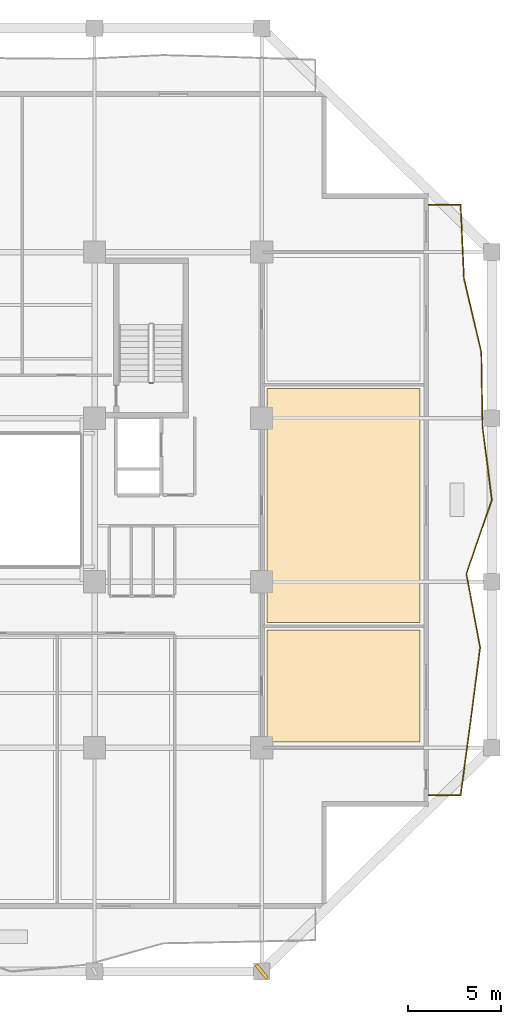
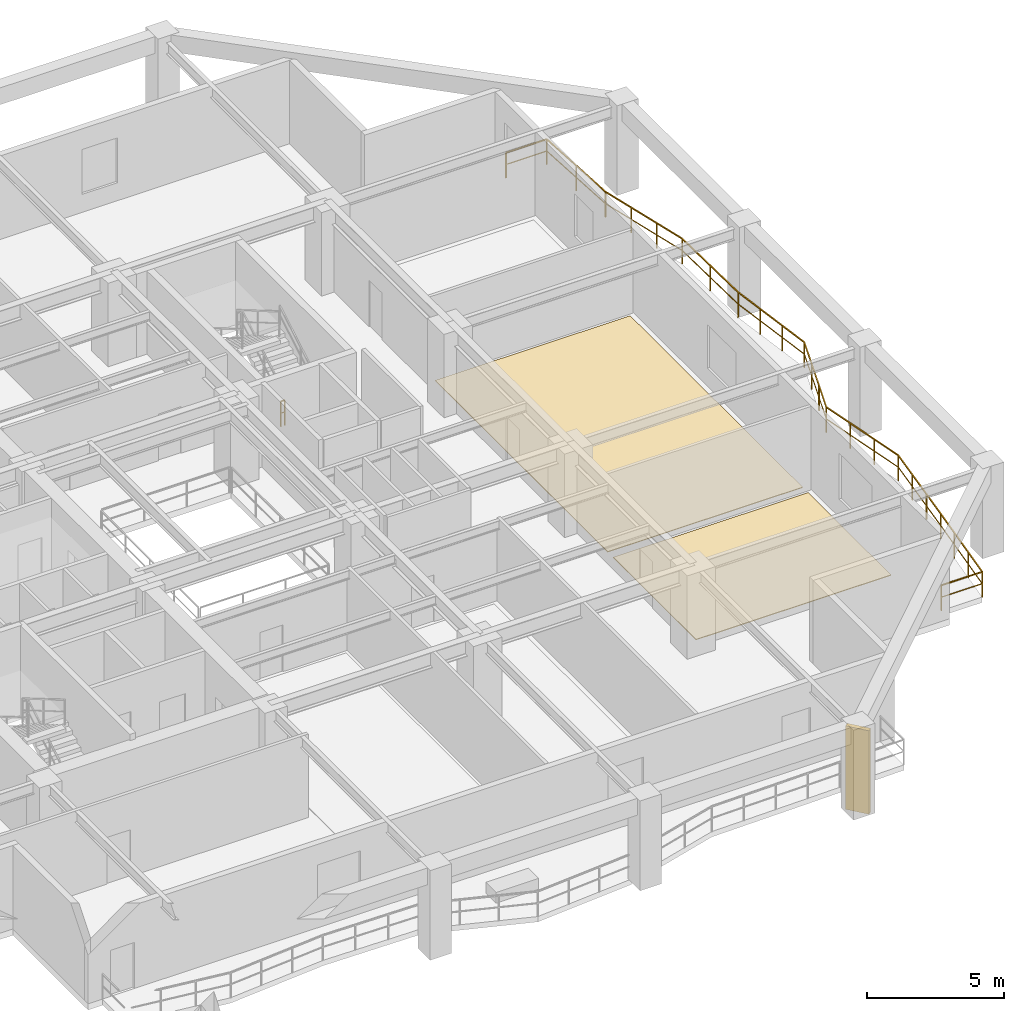
# One storey, part 9 of 12: 2 coverings, 2 railings, 1 shading device.
"""IFC4 building model written with IfcOpenShell, lengths in metres."""

from ifc_helpers import new_model, si_unit, direction, frame, origin, origin_2d, place, context, subcontext, project, spatial, polyline, rectangle, outline, extrude, material, layer, layer_set, type_object, element, save


model = new_model("IFC4")

# Units and contexts
model_context = context("Model", 3, precision=1e-05, world=origin(), true_north=direction((0.0, 1.0)))
body_context = subcontext(model_context, "Body", "Model", "MODEL_VIEW")
ifc_project = project(units=[si_unit("LENGTHUNIT", "METRE"), si_unit("AREAUNIT", "SQUARE_METRE"), si_unit("VOLUMEUNIT", "CUBIC_METRE"), si_unit("PLANEANGLEUNIT", "RADIAN"), si_unit("MASSUNIT", "GRAM", prefix="KILO")], contexts=[model_context])

# Site, building, storey
site_placement = place(None, origin())
site = spatial("IfcSite", under=ifc_project, at=site_placement, CompositionType="ELEMENT")
building_placement = place(site_placement, origin())
building = spatial("IfcBuilding", under=site, at=building_placement, Name="Kundavana Baori Tower", CompositionType="ELEMENT")
storey_placement = place(building_placement, frame((0.0, 0.0, 42.0)))
storey = spatial("IfcBuildingStorey", under=building, at=storey_placement, Name="L09", CompositionType="ELEMENT", Elevation=42.0)

# Coverings
ifc_material_1 = material(Name="Honed Kota Stone and Terrazzo Flooring", Category="masonry")
ifc_layer = layer(ifc_material_1, 0.030029296875, Name="COV-INT-FLR")
ifc_layer_set = layer_set([ifc_layer], Name="Honed Kota Stone and Terrazzo Flooring")
covering_type = type_object("IfcCoveringType", Name="COV-INT-FLR", PredefinedType="FLOORING", material=ifc_layer_set)
covering_1_placement = place(storey_placement, origin())
element("IfcCovering", 1, at=covering_1_placement, inside=storey, type_object=covering_type, Name="L09 Room Finished Stone Flooring 5", PredefinedType="FLOORING", context=body_context, shape_type="SweptSolid", body=[
    extrude(outline(polyline([(43.10009765625, 15.550048828125), (51.320068359375, 15.550048828125), (51.320068359375, 21.60009765625), (43.10009765625, 21.60009765625), (43.10009765625, 15.550048828125)])), origin(), (0.0, 0.0, 1.0), 0.030029296875),
])
covering_2_placement = place(storey_placement, origin())
element("IfcCovering", 2, at=covering_2_placement, inside=storey, type_object=covering_type, Name="L09 Room Finished Stone Flooring 6", PredefinedType="FLOORING", context=body_context, shape_type="SweptSolid", body=[
    extrude(outline(polyline([(43.10009765625, 22.0), (51.320068359375, 22.0), (51.320068359375, 34.60009765625), (43.10009765625, 34.60009765625), (43.10009765625, 22.0)])), origin(), (0.0, 0.0, 1.0), 0.030029296875),
])

# Railings
ifc_material_2 = material(Name="Architectural Patinated Bronze Metalwork")
railing_type_1 = type_object("IfcRailingType", Name="RL-BAL-1150", PredefinedType="BALUSTRADE", material=ifc_material_2)
railing_1_placement = place(storey_placement, frame((51.800048828125, 44.5, 0.0)))
element("IfcRailing", 3, at=railing_1_placement, inside=storey, type_object=railing_type_1, Name="L09 Loggia Balcony Balustrade E", PredefinedType="BALUSTRADE", context=body_context, shape_type="SweptSolid", body=[
    extrude(rectangle(XDim=0.048095703125, YDim=0.048095703125, at=origin_2d()), frame((0.0, 0.0, 1.1259765625), z_axis=(1.0, 0.0, 0.0), x_axis=(0.0, 1.0, 0.0)), (0.0, 0.0, 1.0), 1.719970703125),
    extrude(rectangle(XDim=0.03125, YDim=0.03125, at=origin_2d()), frame((0.0, 0.0, 0.597900390625), z_axis=(1.0, 0.0, 0.0), x_axis=(0.0, 1.0, 0.0)), (0.0, 0.0, 1.0), 1.719970703125),
    extrude(rectangle(XDim=0.048095703125, YDim=0.048095703125, at=origin_2d()), frame((1.719970703125, 0.0, 1.1259765625), z_axis=(0.045708226904, -0.998954832809, 0.0), x_axis=(0.998954832809, 0.045708226904, 0.0)), (0.0, 0.0, 1.0), 3.979248046875),
    extrude(rectangle(XDim=0.03125, YDim=0.03125, at=origin_2d()), frame((1.719970703125, 0.0, 0.597900390625), z_axis=(0.045708226904, -0.998954832809, 0.0), x_axis=(0.998954832809, 0.045708226904, 0.0)), (0.0, 0.0, 1.0), 3.979248046875),
    extrude(rectangle(XDim=0.048095703125, YDim=0.048095703125, at=origin_2d()), frame((1.90185546875, -3.97509765625, 1.1259765625), z_axis=(0.228766043642, -0.973481431398, 0.0), x_axis=(0.973481431398, 0.228766043642, 0.0)), (0.0, 0.0, 1.0), 4.083251953125),
    extrude(rectangle(XDim=0.03125, YDim=0.03125, at=origin_2d()), frame((1.90185546875, -3.97509765625, 0.597900390625), z_axis=(0.228766043642, -0.973481431398, 0.0), x_axis=(0.973481431398, 0.228766043642, 0.0)), (0.0, 0.0, 1.0), 4.083251953125),
    extrude(rectangle(XDim=0.048095703125, YDim=0.048095703125, at=origin_2d()), frame((2.8359375, -7.949951171875, 1.1259765625), z_axis=(0.015843730248, -0.999874480228, 0.0), x_axis=(0.999874480228, 0.015843730248, 0.0)), (0.0, 0.0, 1.0), 3.9755859375),
    extrude(rectangle(XDim=0.03125, YDim=0.03125, at=origin_2d()), frame((2.8359375, -7.949951171875, 0.597900390625), z_axis=(0.015843730248, -0.999874480228, 0.0), x_axis=(0.999874480228, 0.015843730248, 0.0)), (0.0, 0.0, 1.0), 3.9755859375),
    extrude(rectangle(XDim=0.048095703125, YDim=0.048095703125, at=origin_2d()), frame((2.89892578125, -11.925048828125, 1.1259765625), z_axis=(0.125047197933, -0.992150794128, 0.0), x_axis=(0.992150794128, 0.125047197933, 0.0)), (0.0, 0.0, 1.0), 4.00634765625),
    extrude(rectangle(XDim=0.03125, YDim=0.03125, at=origin_2d()), frame((2.89892578125, -11.925048828125, 0.597900390625), z_axis=(0.125047197933, -0.992150794128, 0.0), x_axis=(0.992150794128, 0.125047197933, 0.0)), (0.0, 0.0, 1.0), 4.00634765625),
    extrude(rectangle(XDim=0.048095703125, YDim=0.048095703125, at=origin_2d()), frame((3.39990234375, -15.89990234375, 1.1259765625), z_axis=(-0.325394623891, -0.945578309154, 0.0), x_axis=(0.945578309154, -0.325394623891, 0.0)), (0.0, 0.0, 1.0), 4.203857421875),
    extrude(rectangle(XDim=0.03125, YDim=0.03125, at=origin_2d()), frame((3.39990234375, -15.89990234375, 0.597900390625), z_axis=(-0.325394623891, -0.945578309154, 0.0), x_axis=(0.945578309154, -0.325394623891, 0.0)), (0.0, 0.0, 1.0), 4.203857421875),
    extrude(rectangle(XDim=0.048095703125, YDim=0.048095703125, at=origin_2d()), frame((2.031982421875, -19.875, 1.1259765625), z_axis=(0.183012420576, -0.983110601059, 0.0), x_axis=(0.983110601059, 0.183012420576, 0.0)), (0.0, 0.0, 1.0), 4.04345703125),
    extrude(rectangle(XDim=0.03125, YDim=0.03125, at=origin_2d()), frame((2.031982421875, -19.875, 0.597900390625), z_axis=(0.183012420576, -0.983110601059, 0.0), x_axis=(0.983110601059, 0.183012420576, 0.0)), (0.0, 0.0, 1.0), 4.04345703125),
    extrude(rectangle(XDim=0.048095703125, YDim=0.048095703125, at=origin_2d()), frame((2.77197265625, -23.85009765625, 1.1259765625), z_axis=(-0.12822452981, -0.991745163817, 0.0), x_axis=(0.991745163817, -0.12822452981, 0.0)), (0.0, 0.0, 1.0), 4.008056640625),
    extrude(rectangle(XDim=0.03125, YDim=0.03125, at=origin_2d()), frame((2.77197265625, -23.85009765625, 0.597900390625), z_axis=(-0.12822452981, -0.991745163817, 0.0), x_axis=(0.991745163817, -0.12822452981, 0.0)), (0.0, 0.0, 1.0), 4.008056640625),
    extrude(rectangle(XDim=0.048095703125, YDim=0.048095703125, at=origin_2d()), frame((2.258056640625, -27.824951171875, 1.1259765625), z_axis=(-0.134140822045, -0.990962279737, 0.0), x_axis=(0.990962279737, -0.134140822045, 0.0)), (0.0, 0.0, 1.0), 4.01123046875),
    extrude(rectangle(XDim=0.03125, YDim=0.03125, at=origin_2d()), frame((2.258056640625, -27.824951171875, 0.597900390625), z_axis=(-0.134140822045, -0.990962279737, 0.0), x_axis=(0.990962279737, -0.134140822045, 0.0)), (0.0, 0.0, 1.0), 4.01123046875),
    extrude(rectangle(XDim=0.048095703125, YDim=0.048095703125, at=origin_2d()), frame((1.719970703125, -31.800048828125, 1.1259765625), z_axis=(-1.0, 0.0, 0.0), x_axis=(0.0, -1.0, 0.0)), (0.0, 0.0, 1.0), 1.719970703125),
    extrude(rectangle(XDim=0.03125, YDim=0.03125, at=origin_2d()), frame((1.719970703125, -31.800048828125, 0.597900390625), z_axis=(-1.0, 0.0, 0.0), x_axis=(0.0, -1.0, 0.0)), (0.0, 0.0, 1.0), 1.719970703125),
    extrude(rectangle(XDim=0.0419921875, YDim=0.0419921875, at=origin_2d()), origin(), (0.0, 0.0, 1.0), 1.101806640625),
    extrude(rectangle(XDim=0.0419921875, YDim=0.0419921875, at=origin_2d()), frame((1.719970703125, 0.0, 0.0)), (0.0, 0.0, 1.0), 1.101806640625),
    extrude(rectangle(XDim=0.0419921875, YDim=0.0419921875, at=origin_2d()), frame((1.81103515625, -1.987548828125, 0.0)), (0.0, 0.0, 1.0), 1.101806640625),
    extrude(rectangle(XDim=0.0419921875, YDim=0.0419921875, at=origin_2d()), frame((1.90185546875, -3.97509765625, 0.0)), (0.0, 0.0, 1.0), 1.101806640625),
    extrude(rectangle(XDim=0.0419921875, YDim=0.0419921875, at=origin_2d()), frame((2.213134765625, -5.300048828125, 0.0)), (0.0, 0.0, 1.0), 1.101806640625),
    extrude(rectangle(XDim=0.0419921875, YDim=0.0419921875, at=origin_2d()), frame((2.524658203125, -6.625, 0.0)), (0.0, 0.0, 1.0), 1.101806640625),
    extrude(rectangle(XDim=0.0419921875, YDim=0.0419921875, at=origin_2d()), frame((2.8359375, -7.949951171875, 0.0)), (0.0, 0.0, 1.0), 1.101806640625),
    extrude(rectangle(XDim=0.0419921875, YDim=0.0419921875, at=origin_2d()), frame((2.867431640625, -9.9375, 0.0)), (0.0, 0.0, 1.0), 1.101806640625),
    extrude(rectangle(XDim=0.0419921875, YDim=0.0419921875, at=origin_2d()), frame((2.89892578125, -11.925048828125, 0.0)), (0.0, 0.0, 1.0), 1.101806640625),
    extrude(rectangle(XDim=0.0419921875, YDim=0.0419921875, at=origin_2d()), frame((3.06591796875, -13.25, 0.0)), (0.0, 0.0, 1.0), 1.101806640625),
    extrude(rectangle(XDim=0.0419921875, YDim=0.0419921875, at=origin_2d()), frame((3.23291015625, -14.574951171875, 0.0)), (0.0, 0.0, 1.0), 1.101806640625),
    extrude(rectangle(XDim=0.0419921875, YDim=0.0419921875, at=origin_2d()), frame((3.39990234375, -15.89990234375, 0.0)), (0.0, 0.0, 1.0), 1.101806640625),
    extrude(rectangle(XDim=0.0419921875, YDim=0.0419921875, at=origin_2d()), frame((2.94384765625, -17.224853515625, 0.0)), (0.0, 0.0, 1.0), 1.101806640625),
    extrude(rectangle(XDim=0.0419921875, YDim=0.0419921875, at=origin_2d()), frame((2.488037109375, -18.550048828125, 0.0)), (0.0, 0.0, 1.0), 1.101806640625),
    extrude(rectangle(XDim=0.0419921875, YDim=0.0419921875, at=origin_2d()), frame((2.031982421875, -19.875, 0.0)), (0.0, 0.0, 1.0), 1.101806640625),
    extrude(rectangle(XDim=0.0419921875, YDim=0.0419921875, at=origin_2d()), frame((2.278564453125, -21.199951171875, 0.0)), (0.0, 0.0, 1.0), 1.101806640625),
    extrude(rectangle(XDim=0.0419921875, YDim=0.0419921875, at=origin_2d()), frame((2.525390625, -22.525146484375, 0.0)), (0.0, 0.0, 1.0), 1.101806640625),
    extrude(rectangle(XDim=0.0419921875, YDim=0.0419921875, at=origin_2d()), frame((2.77197265625, -23.85009765625, 0.0)), (0.0, 0.0, 1.0), 1.101806640625),
    extrude(rectangle(XDim=0.0419921875, YDim=0.0419921875, at=origin_2d()), frame((2.6005859375, -25.175048828125, 0.0)), (0.0, 0.0, 1.0), 1.101806640625),
    extrude(rectangle(XDim=0.0419921875, YDim=0.0419921875, at=origin_2d()), frame((2.429443359375, -26.5, 0.0)), (0.0, 0.0, 1.0), 1.101806640625),
    extrude(rectangle(XDim=0.0419921875, YDim=0.0419921875, at=origin_2d()), frame((2.258056640625, -27.824951171875, 0.0)), (0.0, 0.0, 1.0), 1.101806640625),
    extrude(rectangle(XDim=0.0419921875, YDim=0.0419921875, at=origin_2d()), frame((2.07861328125, -29.14990234375, 0.0)), (0.0, 0.0, 1.0), 1.101806640625),
    extrude(rectangle(XDim=0.0419921875, YDim=0.0419921875, at=origin_2d()), frame((1.8994140625, -30.47509765625, 0.0)), (0.0, 0.0, 1.0), 1.101806640625),
    extrude(rectangle(XDim=0.0419921875, YDim=0.0419921875, at=origin_2d()), frame((1.719970703125, -31.800048828125, 0.0)), (0.0, 0.0, 1.0), 1.101806640625),
    extrude(rectangle(XDim=0.0419921875, YDim=0.0419921875, at=origin_2d()), frame((0.0, -31.800048828125, 0.0)), (0.0, 0.0, 1.0), 1.101806640625),
])
ifc_material_3 = material(Name="Architectural Patinated Bronze Metalwork")
railing_type_2 = type_object("IfcRailingType", Name="RL-GRD-1150", PredefinedType="GUARDRAIL", material=ifc_material_3)
railing_2_placement = place(storey_placement, frame((36.929931640625, 34.89990234375, 0.0)))
element("IfcRailing", 4, at=railing_2_placement, inside=storey, type_object=railing_type_2, Name="L09 ST3 stair guard 4", PredefinedType="GUARDRAIL", context=body_context, shape_type="SweptSolid", body=[
    extrude(rectangle(XDim=0.048095703125, YDim=0.048095703125, at=origin_2d()), frame((0.0, 0.0, 1.1259765625), z_axis=(-1.0, 0.0, 0.0), x_axis=(0.0, -1.0, 0.0)), (0.0, 0.0, 1.0), 0.159912109375),
    extrude(rectangle(XDim=0.03125, YDim=0.03125, at=origin_2d()), frame((0.0, 0.0, 0.597900390625), z_axis=(-1.0, 0.0, 0.0), x_axis=(0.0, -1.0, 0.0)), (0.0, 0.0, 1.0), 0.159912109375),
    extrude(rectangle(XDim=0.0419921875, YDim=0.0419921875, at=origin_2d()), origin(), (0.0, 0.0, 1.0), 1.101806640625),
    extrude(rectangle(XDim=0.0419921875, YDim=0.0419921875, at=origin_2d()), frame((-0.159912109375, 0.0, 0.0)), (0.0, 0.0, 1.0), 1.101806640625),
])

# Shading device
ifc_material_4 = material(Name="Red-Buff Dholpur Sandstone Cladding on Concrete C40/50", Category="masonry")
shading_device_type = type_object("IfcShadingDeviceType", Name="SHD-FIN-920", PredefinedType="JALOUSIE", material=ifc_material_4)
shading_device_placement = place(storey_placement, frame((42.800048828125, 3.199951171875, 0.0), z_axis=(0.0, 0.0, 1.0), x_axis=(0.770290692891, 0.637692910769, 0.0)))
element("IfcShadingDevice", 5, at=shading_device_placement, inside=storey, type_object=shading_device_type, Name="L09 Sweeping Dholpur Sandstone Facade Fin 4", PredefinedType="JALOUSIE", context=body_context, shape_type="SweptSolid", body=[
    extrude(rectangle(XDim=0.179931640625, YDim=0.919921875, at=origin_2d()), origin(), (0.0, 0.0, 1.0), 3.719970703125),
])

save(model, "model.ifc")
